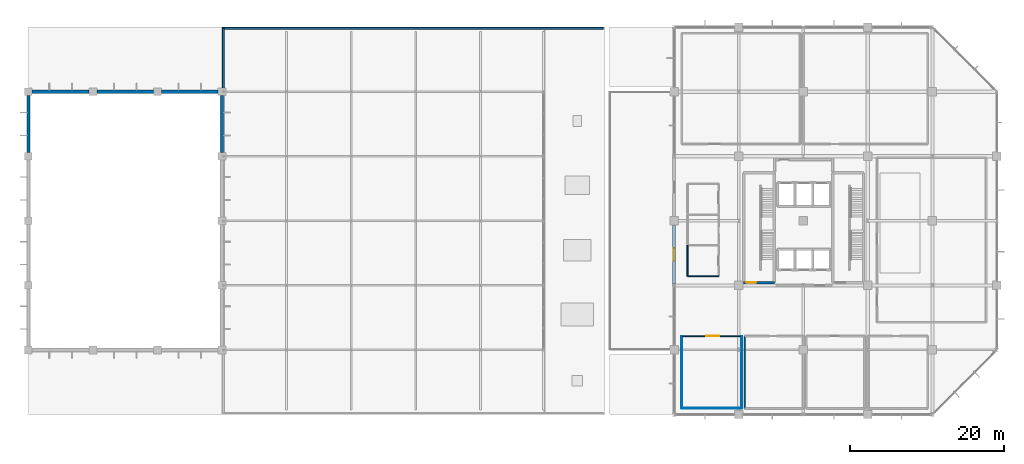
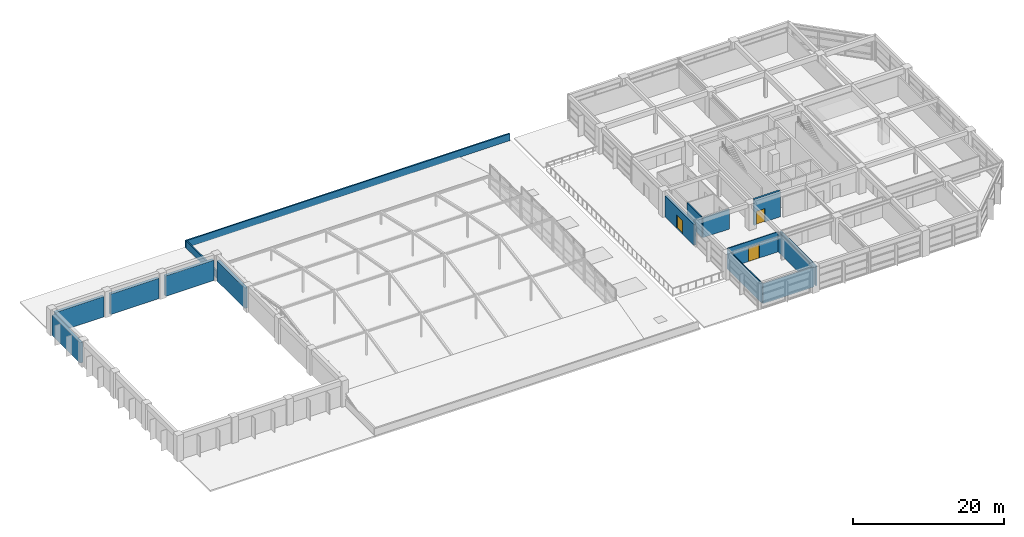
# One storey, part 30 of 34: 16 walls, 3 doors, 3 openings.
"""IFC4 building model written with IfcOpenShell, lengths in metres."""

from ifc_helpers import new_model, si_unit, direction, frame, frame_2d, origin, place, context, subcontext, project, spatial, rectangle, extrude, material, layer, layer_set, type_object, element, fill, save


model = new_model("IFC4")

# Units and contexts
model_context = context("Model", 3, precision=1e-05, world=origin(), true_north=direction((0.0, 1.0)))
body_context = subcontext(model_context, "Body", "Model", "MODEL_VIEW")
ifc_project = project(units=[si_unit("LENGTHUNIT", "METRE"), si_unit("AREAUNIT", "SQUARE_METRE"), si_unit("VOLUMEUNIT", "CUBIC_METRE"), si_unit("PLANEANGLEUNIT", "RADIAN"), si_unit("MASSUNIT", "GRAM", prefix="KILO")], contexts=[model_context])

# Site, building, storey
site_placement = place(None, origin())
site = spatial("IfcSite", under=ifc_project, at=site_placement, CompositionType="ELEMENT")
building_placement = place(site_placement, origin())
building = spatial("IfcBuilding", under=site, at=building_placement, Name="Xuanlan Plaza Opera House", CompositionType="ELEMENT")
storey_placement = place(building_placement, frame((0.0, 0.0, 27.89990234375)))
storey = spatial("IfcBuildingStorey", under=building, at=storey_placement, Name="L06", CompositionType="ELEMENT", Elevation=27.89990234375)

# Wall, opening, door
ifc_material_1 = material(Name="Anodised Aluminium 6063-T6 and Rockwool Cladding", Category="aluminium")
ifc_layer_1 = layer(ifc_material_1, 0.340087890625)
ifc_layer_set_1 = layer_set([ifc_layer_1], Name="Anodised Aluminium 6063-T6 and Rockwool Cladding")
wall_type_1 = type_object("IfcWallType", Name="ENV-WL-EW-02", PredefinedType="STANDARD", material=ifc_layer_set_1)
wall_1_placement = place(storey_placement, frame((126.0, 58.25, 0.0), z_axis=(0.0, 0.0, 1.0), x_axis=(0.0, -1.0, 0.0)))
wall_1 = element("IfcWall", 1, at=wall_1_placement, inside=storey, type_object=wall_type_1, Name="Exterior Wall L06-018", PredefinedType="STANDARD", context=body_context, shape_type="SweptSolid", body=[
    extrude(rectangle(XDim=7.64990234375, YDim=0.340087890625, at=frame_2d((3.824951171875, 0.0))), origin(), (0.0, 0.0, 1.0), 3.380126953125),
])
opening_1_placement = place(wall_1_placement, frame((3.0, 0.0, 0.0)))
opening_1 = element("IfcOpeningElement", 2, at=opening_1_placement, cuts=wall_1, Name="Opening TD-01", PredefinedType="OPENING", context=body_context, shape_type="SweptSolid", body=[
    extrude(rectangle(XDim=1.64990234375, YDim=2.199951171875, at=frame_2d((0.824951171875, 1.10009765625))), frame((0.0, 0.179931640625, 0.0), z_axis=(0.0, -1.0, 0.0), x_axis=(1.0, 0.0, 0.0)), (0.0, 0.0, 1.0), 0.360107421875),
])
ifc_material_2 = material(Name="Anodised Aluminium 6063-T6 and Laminated Safety Glass", Category="aluminium")
door_type_1 = type_object("IfcDoorType", Name="ENV-DR-TD-01", OperationType="DOUBLE_DOOR_SINGLE_SWING", PredefinedType="DOOR", material=ifc_material_2)
door_1_placement = place(opening_1_placement, frame((1.64990234375, 0.0, 0.0), z_axis=(0.0, 0.0, 1.0), x_axis=(-1.0, 0.0, 0.0)))
door_1 = element("IfcDoor", 3, at=door_1_placement, inside=storey, type_object=door_type_1, Name="Terrace Access Door TERR-L06-18", OperationType="DOUBLE_DOOR_SINGLE_SWING", OverallHeight=2.199951171875, OverallWidth=1.64990234375, PredefinedType="DOOR", context=body_context, shape_type="SweptSolid", body=[
    extrude(rectangle(XDim=1.64990234375, YDim=2.199951171875, at=frame_2d((0.824951171875, 1.10009765625))), frame((0.0, 0.02490234375, 0.0), z_axis=(0.0, -1.0, 0.0), x_axis=(1.0, 0.0, 0.0)), (0.0, 0.0, 1.0), 0.050048828125),
])
fill(opening_1, door_1)

# Walls
ifc_material_3 = material(Name="Concrete C40", Category="concrete")
ifc_layer_2 = layer(ifc_material_3, 0.419921875)
ifc_layer_set_2 = layer_set([ifc_layer_2], Name="Concrete C40")
wall_type_2 = type_object("IfcWallType", Name="ENV-WL-EW-FLY", PredefinedType="SHEAR", material=ifc_layer_set_2)
wall_2_placement = place(storey_placement, frame((67.199951171875, 67.699951171875, 0.0), z_axis=(0.0, 0.0, 1.0), x_axis=(0.0, 1.0, 0.0)))
element("IfcWall", 4, at=wall_2_placement, inside=storey, type_object=wall_type_2, Name="Fly Tower Acoustic Enclosure Wall L06-07", PredefinedType="SHEAR", context=body_context, shape_type="SweptSolid", body=[
    extrude(rectangle(XDim=7.400146484375, YDim=0.419921875, at=frame_2d((3.7001953125, 0.0))), origin(), (0.0, 0.0, 1.0), 3.300048828125),
])
wall_3_placement = place(storey_placement, frame((66.699951171875, 75.60009765625, 0.0), z_axis=(0.0, 0.0, 1.0), x_axis=(-1.0, 0.0, 0.0)))
element("IfcWall", 5, at=wall_3_placement, inside=storey, type_object=wall_type_2, Name="Fly Tower Acoustic Enclosure Wall L06-08", PredefinedType="SHEAR", context=body_context, shape_type="SweptSolid", body=[
    extrude(rectangle(XDim=7.39990234375, YDim=0.419921875, at=frame_2d((3.699951171875, 0.0))), origin(), (0.0, 0.0, 1.0), 3.300048828125),
])
wall_4_placement = place(storey_placement, frame((58.300048828125, 75.60009765625, 0.0), z_axis=(0.0, 0.0, 1.0), x_axis=(-1.0, 0.0, 0.0)))
element("IfcWall", 6, at=wall_4_placement, inside=storey, type_object=wall_type_2, Name="Fly Tower Acoustic Enclosure Wall L06-09", PredefinedType="SHEAR", context=body_context, shape_type="SweptSolid", body=[
    extrude(rectangle(XDim=7.400146484375, YDim=0.419921875, at=frame_2d((3.7001953125, 0.0))), origin(), (0.0, 0.0, 1.0), 3.300048828125),
])
wall_5_placement = place(storey_placement, frame((49.89990234375, 75.60009765625, 0.0), z_axis=(0.0, 0.0, 1.0), x_axis=(-1.0, 0.0, 0.0)))
element("IfcWall", 7, at=wall_5_placement, inside=storey, type_object=wall_type_2, Name="Fly Tower Acoustic Enclosure Wall L06-10", PredefinedType="SHEAR", context=body_context, shape_type="SweptSolid", body=[
    extrude(rectangle(XDim=7.39990234375, YDim=0.419921875, at=frame_2d((3.699951171875, 0.0))), origin(), (0.0, 0.0, 1.0), 3.300048828125),
])
wall_6_placement = place(storey_placement, frame((42.0, 75.10009765625, 0.0), z_axis=(0.0, 0.0, 1.0), x_axis=(0.0, -1.0, 0.0)))
element("IfcWall", 8, at=wall_6_placement, inside=storey, type_object=wall_type_2, Name="Fly Tower Acoustic Enclosure Wall L06-11", PredefinedType="SHEAR", context=body_context, shape_type="SweptSolid", body=[
    extrude(rectangle(XDim=7.400146484375, YDim=0.419921875, at=frame_2d((3.7001953125, 0.0))), origin(), (0.0, 0.0, 1.0), 3.300048828125),
])
ifc_layer_3 = layer(ifc_material_3, 0.2099609375)
ifc_layer_set_3 = layer_set([ifc_layer_3], Name="Concrete C40")
wall_type_3 = type_object("IfcWallType", Name="ENV-WL-PRP-03", PredefinedType="PARAPET", material=ifc_layer_set_3)
wall_7_placement = place(storey_placement, frame((67.199951171875, 83.85009765625, 0.0), z_axis=(0.0, 0.0, 1.0), x_axis=(1.0, 0.0, 0.0)))
element("IfcWall", 9, at=wall_7_placement, inside=storey, type_object=wall_type_3, Name="Opera Shell Gutter Parapet Wall 02", PredefinedType="PARAPET", context=body_context, shape_type="SweptSolid", body=[
    extrude(rectangle(XDim=49.60009765625, YDim=0.2099609375, at=frame_2d((24.800048828125, 0.0))), origin(), (0.0, 0.0, 1.0), 1.150146484375),
])
wall_8_placement = place(storey_placement, frame((67.35009765625, 75.60009765625, 0.0), z_axis=(0.0, 0.0, 1.0), x_axis=(0.0, 1.0, 0.0)))
element("IfcWall", 10, at=wall_8_placement, inside=storey, type_object=wall_type_3, Name="Opera Shell Gutter Parapet Wall 04", PredefinedType="PARAPET", context=body_context, shape_type="SweptSolid", body=[
    extrude(rectangle(XDim=8.25, YDim=0.2099609375, at=frame_2d((4.125, 0.0))), origin(), (0.0, 0.0, 1.0), 1.150146484375),
])
ifc_material_4 = material(Name="Gypsum Board and Galvanised Steel Studs", Category="gypsum")
ifc_layer_4 = layer(ifc_material_4, 0.179931640625)
ifc_layer_set_4 = layer_set([ifc_layer_4], Name="Gypsum Board and Galvanised Steel Studs")
wall_type_4 = type_object("IfcWallType", Name="INT-WL-PW-02", PredefinedType="PARTITIONING", material=ifc_layer_set_4)
wall_9_placement = place(storey_placement, frame((135.199951171875, 34.39990234375, 0.0), z_axis=(0.0, 0.0, 1.0), x_axis=(0.0, 1.0, 0.0)))
element("IfcWall", 11, at=wall_9_placement, inside=storey, type_object=wall_type_4, Name="Cultural Administration Office 2 Wall West", PredefinedType="PARTITIONING", context=body_context, shape_type="SweptSolid", body=[
    extrude(rectangle(XDim=9.400146484375, YDim=0.179931640625, at=frame_2d((4.7001953125, 0.0))), origin(), (0.0, 0.0, 1.0), 3.239990234375),
])
ifc_material_5 = material(Name="Autoclaved Aerated Blockwork Masonry", Category="masonry")
ifc_layer_5 = layer(ifc_material_5, 0.14990234375)
ifc_layer_set_5 = layer_set([ifc_layer_5], Name="Autoclaved Aerated Blockwork Masonry")
wall_type_5 = type_object("IfcWallType", Name="INT-WL-PW-03", PredefinedType="PARTITIONING", material=ifc_layer_set_5)
wall_10_placement = place(storey_placement, frame((127.75, 51.60009765625, 0.0), z_axis=(0.0, 0.0, 1.0), x_axis=(1.0, 0.0, 0.0)))
element("IfcWall", 12, at=wall_10_placement, inside=storey, type_object=wall_type_5, Name="Public WC Wall South", PredefinedType="PARTITIONING", context=body_context, shape_type="SweptSolid", body=[
    extrude(rectangle(XDim=4.050048828125, YDim=0.14990234375, at=frame_2d((2.02490234375, 0.0))), origin(), (0.0, 0.0, 1.0), 3.239990234375),
])
wall_11_placement = place(storey_placement, frame((127.75, 51.60009765625, 0.0), z_axis=(0.0, 0.0, 1.0), x_axis=(0.0, 1.0, 0.0)))
element("IfcWall", 13, at=wall_11_placement, inside=storey, type_object=wall_type_5, Name="Public WC Wall West", PredefinedType="PARTITIONING", context=body_context, shape_type="SweptSolid", body=[
    extrude(rectangle(XDim=4.0, YDim=0.14990234375, at=frame_2d((2.0, 0.0))), origin(), (0.0, 0.0, 1.0), 3.239990234375),
])
ifc_layer_6 = layer(ifc_material_4, 0.1201171875)
ifc_layer_set_6 = layer_set([ifc_layer_6], Name="Gypsum Board and Galvanised Steel Studs")
wall_type_6 = type_object("IfcWallType", Name="INT-WL-PW-04", PredefinedType="PARTITIONING", material=ifc_layer_set_6)
wall_12_placement = place(storey_placement, frame((127.0, 34.39990234375, 0.0), z_axis=(0.0, 0.0, 1.0), x_axis=(1.0, 0.0, 0.0)))
element("IfcWall", 14, at=wall_12_placement, inside=storey, type_object=wall_type_6, Name="Cultural Administration Office 1 Wall South", PredefinedType="PARTITIONING", context=body_context, shape_type="SweptSolid", body=[
    extrude(rectangle(XDim=7.800048828125, YDim=0.1201171875, at=frame_2d((3.89990234375, 0.0))), origin(), (0.0, 0.0, 1.0), 3.239990234375),
])

# Wall, opening, door
wall_13_placement = place(storey_placement, frame((127.0, 43.800048828125, 0.0), z_axis=(0.0, 0.0, 1.0), x_axis=(1.0, 0.0, 0.0)))
wall_13 = element("IfcWall", 15, at=wall_13_placement, inside=storey, type_object=wall_type_6, Name="Cultural Administration Office 1 Wall North", PredefinedType="PARTITIONING", context=body_context, shape_type="SweptSolid", body=[
    extrude(rectangle(XDim=7.800048828125, YDim=0.1201171875, at=frame_2d((3.89990234375, 0.0))), origin(), (0.0, 0.0, 1.0), 3.239990234375),
])
opening_2_placement = place(wall_13_placement, frame((3.199951171875, 0.0, 0.0)))
opening_2 = element("IfcOpeningElement", 16, at=opening_2_placement, cuts=wall_13, Name="Opening D-14", PredefinedType="OPENING", context=body_context, shape_type="SweptSolid", body=[
    extrude(rectangle(XDim=1.679931640625, YDim=2.239990234375, at=frame_2d((0.83984375, 1.1201171875))), frame((0.0, 0.070068359375, 0.0), z_axis=(0.0, -1.0, 0.0), x_axis=(1.0, 0.0, 0.0)), (0.0, 0.0, 1.0), 0.14013671875),
])
ifc_material_6 = material(Name="Oak Hardwood Timber", Category="wood")
door_type_2 = type_object("IfcDoorType", Name="INT-DR-D-14", OperationType="DOUBLE_DOOR_SINGLE_SWING", PredefinedType="DOOR", material=ifc_material_6)
door_2_placement = place(opening_2_placement, origin())
door_2 = element("IfcDoor", 17, at=door_2_placement, inside=storey, type_object=door_type_2, Name="Cultural Administration Office 1 Door 1", OperationType="DOUBLE_DOOR_SINGLE_SWING", OverallHeight=2.239990234375, OverallWidth=1.679931640625, PredefinedType="DOOR", context=body_context, shape_type="SweptSolid", body=[
    extrude(rectangle(XDim=1.679931640625, YDim=2.239990234375, at=frame_2d((0.83984375, 1.1201171875))), frame((0.0, 0.02490234375, 0.0), z_axis=(0.0, -1.0, 0.0), x_axis=(1.0, 0.0, 0.0)), (0.0, 0.0, 1.0), 0.050048828125),
])
fill(opening_2, door_2)

# Walls
for number, where, z_axis, x_axis, name in (
    (18, (127.0, 34.39990234375, 0.0), (0.0, 0.0, 1.0), (0.0, 1.0, 0.0), "Cultural Administration Office 1 Wall West"),
    (19, (134.800048828125, 34.39990234375, 0.0), (0.0, 0.0, 1.0), (0.0, 1.0, 0.0), "Cultural Administration Office 1 Wall East"),
):
    element("IfcWall", number, at=place(storey_placement, frame(where, z_axis=z_axis, x_axis=x_axis)), inside=storey, type_object=wall_type_6, Name=name, PredefinedType="PARTITIONING", context=body_context, shape_type="SweptSolid", body=[
        extrude(rectangle(XDim=9.400146484375, YDim=0.1201171875, at=frame_2d((4.7001953125, 0.0))), origin(), (0.0, 0.0, 1.0), 3.239990234375),
    ])

# Wall, opening, door
ifc_layer_7 = layer(ifc_material_3, 0.300048828125)
ifc_layer_set_7 = layer_set([ifc_layer_7], Name="Concrete C40")
wall_type_7 = type_object("IfcWallType", Name="INT-WL-SW-ST1", PredefinedType="SHEAR", material=ifc_layer_set_7)
wall_14_placement = place(storey_placement, frame((135.050048828125, 50.75, 0.0), z_axis=(0.0, 0.0, 1.0), x_axis=(1.0, 0.0, 0.0)))
wall_14 = element("IfcWall", 20, at=wall_14_placement, inside=storey, type_object=wall_type_7, Name="Stair Core Wall ST-T1 L06 South", PredefinedType="SHEAR", context=body_context, shape_type="SweptSolid", body=[
    extrude(rectangle(XDim=4.0, YDim=0.300048828125, at=frame_2d((2.0, 0.0))), origin(), (0.0, 0.0, 1.0), 4.2001953125),
])
opening_3_placement = place(wall_14_placement, frame((0.375, 0.0, 0.0)))
opening_3 = element("IfcOpeningElement", 21, at=opening_3_placement, cuts=wall_14, Name="Opening FD-ST1", PredefinedType="OPENING", context=body_context, shape_type="SweptSolid", body=[
    extrude(rectangle(XDim=1.25, YDim=2.14990234375, at=frame_2d((0.625, 1.074951171875))), frame((0.0, 0.159912109375, 0.0), z_axis=(0.0, -1.0, 0.0), x_axis=(1.0, 0.0, 0.0)), (0.0, 0.0, 1.0), 0.320068359375),
])
ifc_material_7 = material(Name="Galvanised Steel Q235B", Category="steel")
door_type_3 = type_object("IfcDoorType", Name="INT-DR-FD-ST1", OperationType="NOTDEFINED", PredefinedType="DOOR", material=ifc_material_7)
door_3_placement = place(opening_3_placement, origin())
door_3 = element("IfcDoor", 22, at=door_3_placement, inside=storey, type_object=door_type_3, Name="Stair Enclosure Fire Door ST-T1 L06", OperationType="SINGLE_SWING_LEFT", OverallHeight=2.14990234375, OverallWidth=1.25, PredefinedType="DOOR", context=body_context, shape_type="SweptSolid", body=[
    extrude(rectangle(XDim=1.25, YDim=2.14990234375, at=frame_2d((0.625, 1.074951171875))), frame((0.0, 0.02490234375, 0.0), z_axis=(0.0, -1.0, 0.0), x_axis=(1.0, 0.0, 0.0)), (0.0, 0.0, 1.0), 0.050048828125),
])
fill(opening_3, door_3)

save(model, "model.ifc")
